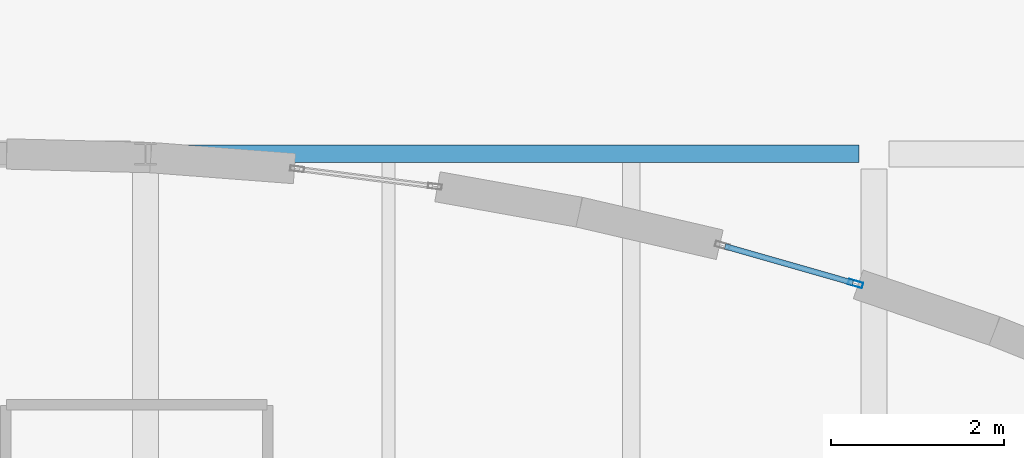
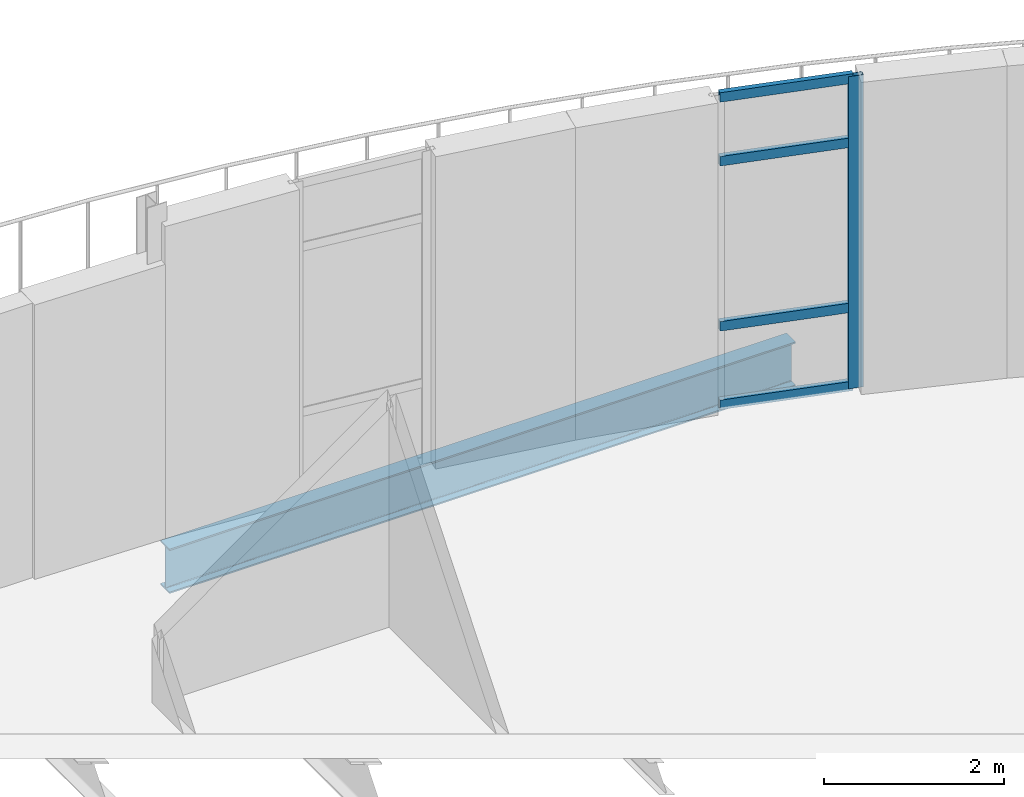
# One storey, part 11 of 40: 5 members, 1 beam, 1 element without a shape of its own.
"""IFC4 building model written with IfcOpenShell, lengths in metres."""

from ifc_helpers import new_model, si_unit, direction, frame, origin, origin_2d, place, context, subcontext, project, spatial, hollow_rectangle, i_section, extrude, material, layer, layer_set, material_profile, profile_set, type_object, element, aggregate, save


model = new_model("IFC4")

# Units and contexts
model_context = context("Model", 3, precision=1e-05, world=origin(), true_north=direction((0.0, 1.0)))
body_context = subcontext(model_context, "Body", "Model", "MODEL_VIEW")
ifc_project = project(units=[si_unit("LENGTHUNIT", "METRE"), si_unit("AREAUNIT", "SQUARE_METRE"), si_unit("VOLUMEUNIT", "CUBIC_METRE"), si_unit("PLANEANGLEUNIT", "RADIAN"), si_unit("MASSUNIT", "GRAM", prefix="KILO"), si_unit("THERMODYNAMICTEMPERATUREUNIT", "KELVIN")], contexts=[model_context])

# Site, building, storey
site_placement = place(None, origin())
site = spatial("IfcSite", under=ifc_project, at=site_placement, CompositionType="ELEMENT")
building_placement = place(site_placement, origin())
building = spatial("IfcBuilding", under=site, at=building_placement, Name="Lustrewick Department Store", CompositionType="ELEMENT")
storey_placement = place(building_placement, frame((0.0, 0.0, 31.800048828125)))
storey = spatial("IfcBuildingStorey", under=building, at=storey_placement, Name="L07", CompositionType="ELEMENT", Elevation=31.800048828125)

# Curtain wall, members
ifc_material_1 = material(Name="Thermally broken aluminium 6063-T5", Category="aluminium")
ifc_layer = layer(ifc_material_1, 0.169921875, Name="Thermally broken aluminium 6063-T5")
ifc_layer_set = layer_set([ifc_layer], Name="Thermally broken aluminium 6063-T5")
curtain_wall_type = type_object("IfcCurtainWallType", Name="CW03", PredefinedType="NOTDEFINED", material=ifc_layer_set)
curtain_wall_placement = place(storey_placement, origin())
curtain_wall = element("IfcCurtainWall", 1, at=curtain_wall_placement, inside=storey, type_object=curtain_wall_type, Name="L07 V4 Curtain Wall CW03", PredefinedType="NOTDEFINED")
ifc_material_profile_1 = material_profile(ifc_material_1, hollow_rectangle(XDim=0.06494140625, YDim=0.169921875, WallThickness=0.00390625, at=origin_2d()), Name="ALU-M 65x170x4")
ifc_profile_set_1 = profile_set([ifc_material_profile_1], Name="Thermally broken aluminium 6063-T5")
member_type_1 = type_object("IfcMemberType", Name="CW03-M1", PredefinedType="MULLION", material=ifc_profile_set_1)
member_1_placement = place(storey_placement, frame((125.787841796875, 90.90478515625, 0.0), z_axis=(0.0, 0.0, 1.0), x_axis=(-0.275062862782, -0.96142624341, 0.0)))
member_1 = element("IfcMember", 2, at=member_1_placement, type_object=member_type_1, Name="CW03 mullion 1", PredefinedType="MULLION", context=body_context, shape_type="SweptSolid", body=[
    extrude(hollow_rectangle(XDim=0.06494140625, YDim=0.169921875, WallThickness=0.00390625, at=origin_2d()), origin(), (0.0, 0.0, 1.0), 4.244873046875),
])
ifc_material_profile_2 = material_profile(ifc_material_1, hollow_rectangle(XDim=0.06494140625, YDim=0.1298828125, WallThickness=0.00341796875, at=origin_2d()), Name="ALU-T 65x130x3.5")
ifc_profile_set_2 = profile_set([ifc_material_profile_2], Name="Thermally broken aluminium 6063-T5")
member_type_2 = type_object("IfcMemberType", Name="CW03-T1", PredefinedType="USERDEFINED", material=ifc_profile_set_2)
member_2_placement = place(storey_placement, frame((125.756591796875, 90.91357421875, 0.032470703125), z_axis=(-0.961415610874, 0.275100023934, 0.0), x_axis=(-0.275100023934, -0.961415610874, 0.0)))
member_2 = element("IfcMember", 3, at=member_2_placement, type_object=member_type_2, Name="CW03 transom 1.1", ObjectType="TRANSOM", PredefinedType="USERDEFINED", context=body_context, shape_type="SweptSolid", body=[
    extrude(hollow_rectangle(XDim=0.06494140625, YDim=0.1298828125, WallThickness=0.00341796875, at=origin_2d()), origin(), (0.0, 0.0, 1.0), 1.53173828125),
])
member_3_placement = place(storey_placement, frame((125.756591796875, 90.91357421875, 1.099853515625), z_axis=(-0.961415610874, 0.275100023934, 0.0), x_axis=(-0.275100023934, -0.961415610874, 0.0)))
member_3 = element("IfcMember", 4, at=member_3_placement, type_object=member_type_2, Name="CW03 transom 1.2", ObjectType="TRANSOM", PredefinedType="USERDEFINED", context=body_context, shape_type="SweptSolid", body=[
    extrude(hollow_rectangle(XDim=0.06494140625, YDim=0.1298828125, WallThickness=0.00341796875, at=origin_2d()), origin(), (0.0, 0.0, 1.0), 1.53173828125),
])
member_4_placement = place(storey_placement, frame((125.756591796875, 90.91357421875, 3.344970703125), z_axis=(-0.961415610874, 0.275100023934, 0.0), x_axis=(-0.275100023934, -0.961415610874, 0.0)))
member_4 = element("IfcMember", 5, at=member_4_placement, type_object=member_type_2, Name="CW03 transom 1.3", ObjectType="TRANSOM", PredefinedType="USERDEFINED", context=body_context, shape_type="SweptSolid", body=[
    extrude(hollow_rectangle(XDim=0.06494140625, YDim=0.1298828125, WallThickness=0.00341796875, at=origin_2d()), origin(), (0.0, 0.0, 1.0), 1.53173828125),
])
member_5_placement = place(storey_placement, frame((125.756591796875, 90.91357421875, 4.21240234375), z_axis=(-0.961415610874, 0.275100023934, 0.0), x_axis=(-0.275100023934, -0.961415610874, 0.0)))
member_5 = element("IfcMember", 6, at=member_5_placement, type_object=member_type_2, Name="CW03 transom 1.4", ObjectType="TRANSOM", PredefinedType="USERDEFINED", context=body_context, shape_type="SweptSolid", body=[
    extrude(hollow_rectangle(XDim=0.06494140625, YDim=0.1298828125, WallThickness=0.00341796875, at=origin_2d()), origin(), (0.0, 0.0, 1.0), 1.53173828125),
])
aggregate(curtain_wall, [member_1, member_2, member_3, member_4, member_5])

# Beam
ifc_material_2 = material(Name="Structural steel Q355B", Category="steel")
ifc_material_profile_3 = material_profile(ifc_material_2, i_section(OverallWidth=0.200927734375, OverallDepth=0.60595703125, WebThickness=0.011962890625, FlangeThickness=0.02001953125, FilletRadius=0.01806640625, at=origin_2d()), Name="HN 606x201x12x20")
ifc_profile_set_3 = profile_set([ifc_material_profile_3], Name="Structural steel Q355B")
beam_type = type_object("IfcBeamType", Name="G13", PredefinedType="BEAM", material=ifc_profile_set_3)
beam_placement = place(storey_placement, frame((117.77392578125, 92.39990234375, -0.55810546875), z_axis=(1.0, 0.0, 0.0), x_axis=(0.0, 1.0, 0.0)))
element("IfcBeam", 7, at=beam_placement, inside=storey, type_object=beam_type, Name="L07 V4 Girder G13", PredefinedType="BEAM", context=body_context, shape_type="SweptSolid", body=[
    extrude(i_section(OverallWidth=0.200927734375, OverallDepth=0.60595703125, WebThickness=0.011962890625, FlangeThickness=0.02001953125, FilletRadius=0.01806640625, at=origin_2d()), origin(), (0.0, 0.0, 1.0), 8.052001953125),
])

save(model, "model.ifc")
